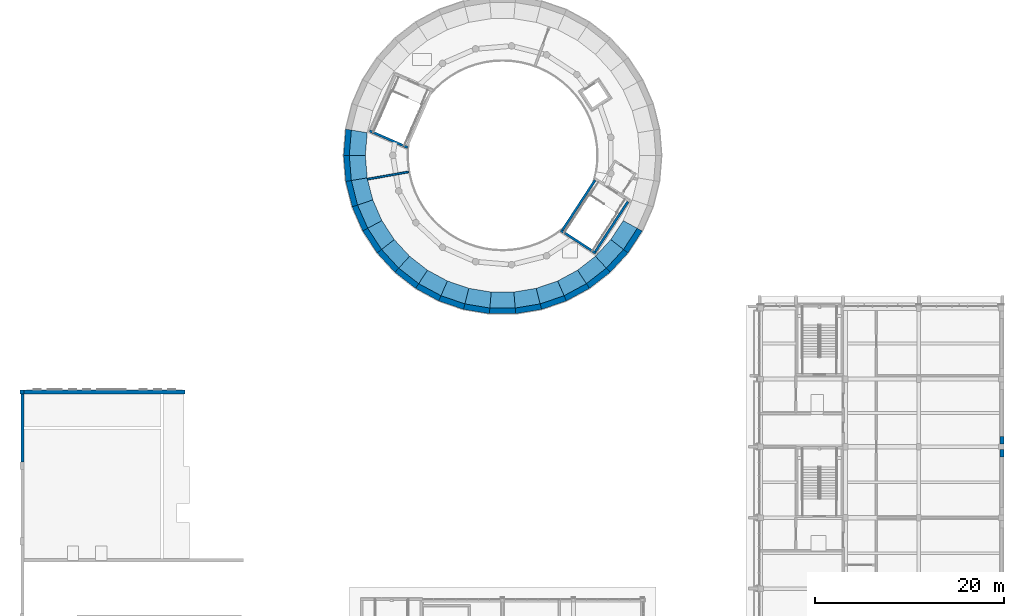
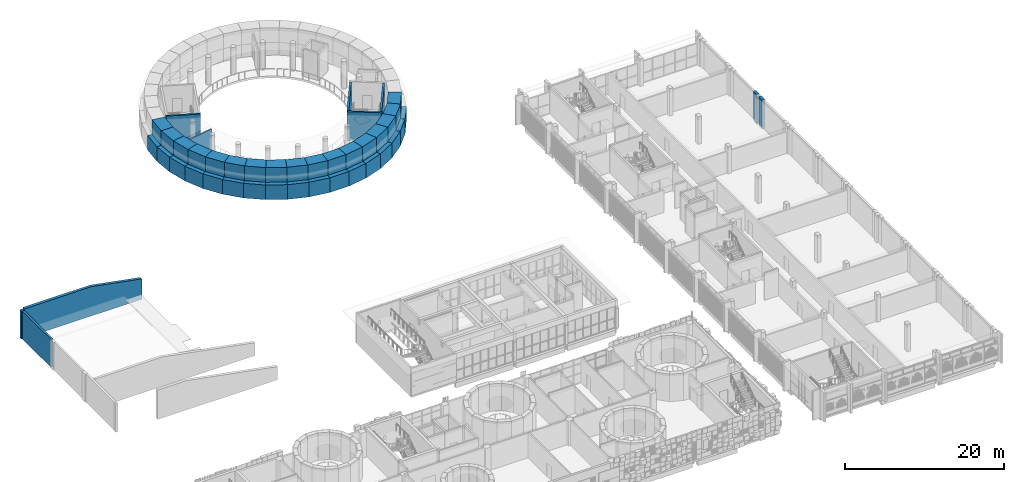
# One storey, part 52 of 92: 44 walls.
"""IFC4 building model written with IfcOpenShell, lengths in metres."""

from ifc_helpers import new_model, si_unit, direction, frame, frame_2d, origin, place, context, subcontext, project, spatial, polyline, rectangle, outline, extrude, material, layer, layer_set, type_object, element, save


model = new_model("IFC4")

# Units and contexts
model_context = context("Model", 3, precision=1e-05, world=origin(), true_north=direction((0.0, 1.0)))
body_context = subcontext(model_context, "Body", "Model", "MODEL_VIEW")
ifc_project = project(units=[si_unit("LENGTHUNIT", "METRE"), si_unit("AREAUNIT", "SQUARE_METRE"), si_unit("VOLUMEUNIT", "CUBIC_METRE"), si_unit("PLANEANGLEUNIT", "RADIAN"), si_unit("MASSUNIT", "GRAM", prefix="KILO")], contexts=[model_context])

# Site, building, storey
site_placement = place(None, origin())
site = spatial("IfcSite", under=ifc_project, at=site_placement, CompositionType="ELEMENT")
building_placement = place(site_placement, origin())
building = spatial("IfcBuilding", under=site, at=building_placement, Name="Sun Court Science Centre", CompositionType="ELEMENT")
storey_placement = place(building_placement, frame((0.0, 0.0, 11.25)))
storey = spatial("IfcBuildingStorey", under=building, at=storey_placement, Name="L02", CompositionType="ELEMENT", Elevation=11.25)

# Walls
ifc_material_1 = material(Name="Gypsum board")
ifc_layer_1 = layer(ifc_material_1, 0.199951171875)
ifc_layer_set_1 = layer_set([ifc_layer_1], Name="Gypsum board")
wall_type_1 = type_object("IfcWallType", Name="Partition 200 stud EI30", PredefinedType="PARTITIONING", material=ifc_layer_set_1)
wall_1_placement = place(storey_placement, frame((36.73291015625, 94.28076171875, 0.0), z_axis=(0.0, 0.0, 1.0), x_axis=(0.984805913837, 0.173658607825, 0.0)))
element("IfcWall", 1, at=wall_1_placement, inside=storey, type_object=wall_type_1, Name="L02 partition 001", PredefinedType="PARTITIONING", context=body_context, shape_type="SweptSolid", body=[
    extrude(rectangle(XDim=4.396240234375, YDim=0.199951171875, at=frame_2d((2.1982421875, 0.0))), origin(), (0.0, 0.0, 1.0), 3.39990234375),
])
ifc_material_2 = material(Name="Concrete C30/37", Category="concrete")
ifc_layer_2 = layer(ifc_material_2, 1.696044921875)
ifc_layer_set_2 = layer_set([ifc_layer_2], Name="Concrete C30/37")
wall_type_2 = type_object("IfcWallType", Name="RC drum wall exterior 1696", PredefinedType="SHEAR", material=ifc_layer_set_2)
wall_2_placement = place(storey_placement, frame((35.865966796875, 99.396484375, 1.949951171875), z_axis=(0.0, 0.0, 1.0), x_axis=(-0.082577286265, -0.996584663635, 0.0)))
element("IfcWall", 2, at=wall_2_placement, inside=storey, type_object=wall_type_2, Name="Drum wall L02 course 2 segment 18", PredefinedType="SHEAR", context=body_context, shape_type="SweptSolid", body=[
    extrude(outline(polyline([(0.000244140625, -0.847900390625), (2.675537109375, -0.847900390625), (2.53515625, 0.847900390625), (0.140625, 0.847900390625), (0.000244140625, -0.847900390625)])), origin(), (0.0, 0.0, 1.0), 2.25),
])
wall_3_placement = place(storey_placement, frame((35.64501953125, 96.8701171875, 1.949951171875), z_axis=(0.0, 0.0, 1.0), x_axis=(0.082577286265, -0.996584663635, 0.0)))
element("IfcWall", 3, at=wall_3_placement, inside=storey, type_object=wall_type_2, Name="Drum wall L02 course 2 segment 19", PredefinedType="SHEAR", context=body_context, shape_type="SweptSolid", body=[
    extrude(outline(polyline([(0.0, -0.847900390625), (2.67578125, -0.847900390625), (2.534912109375, 0.847900390625), (0.140625, 0.847900390625), (0.0, -0.847900390625)])), origin(), (0.0, 0.0, 1.0), 2.25),
])
wall_4_placement = place(storey_placement, frame((35.843017578125, 94.341796875, 1.949951171875), z_axis=(0.0, 0.0, 1.0), x_axis=(0.245454430511, -0.969408130017, 0.0)))
element("IfcWall", 4, at=wall_4_placement, inside=storey, type_object=wall_type_2, Name="Drum wall L02 course 2 segment 20", PredefinedType="SHEAR", context=body_context, shape_type="SweptSolid", body=[
    extrude(outline(polyline([(0.0, -0.847900390625), (2.67578125, -0.847900390625), (2.53515625, 0.847900390625), (0.140380859375, 0.847900390625), (0.0, -0.847900390625)])), origin(), (0.0, 0.0, 1.0), 2.25),
])
wall_5_placement = place(storey_placement, frame((36.454345703125, 91.88037109375, 1.949951171875), z_axis=(0.0, 0.0, 1.0), x_axis=(0.401680291361, -0.915779964583, 0.0)))
element("IfcWall", 5, at=wall_5_placement, inside=storey, type_object=wall_type_2, Name="Drum wall L02 course 2 segment 21", PredefinedType="SHEAR", context=body_context, shape_type="SweptSolid", body=[
    extrude(outline(polyline([(0.0, -0.847900390625), (2.675537109375, -0.847900390625), (2.53466796875, 0.847900390625), (0.140625, 0.847900390625), (0.0, -0.847900390625)])), origin(), (0.0, 0.0, 1.0), 2.25),
])
wall_6_placement = place(storey_placement, frame((37.46240234375, 89.553466796875, 1.949951171875), z_axis=(0.0, 0.0, 1.0), x_axis=(0.546927267379, -0.837180126494, 0.0)))
element("IfcWall", 6, at=wall_6_placement, inside=storey, type_object=wall_type_2, Name="Drum wall L02 course 2 segment 22", PredefinedType="SHEAR", context=body_context, shape_type="SweptSolid", body=[
    extrude(outline(polyline([(0.0, -0.84814453125), (2.675537109375, -0.847900390625), (2.534912109375, 0.84814453125), (0.140380859375, 0.847900390625), (0.0, -0.84814453125)])), origin(), (0.0, 0.0, 1.0), 2.25),
])
wall_7_placement = place(storey_placement, frame((38.83984375, 87.424072265625, 1.949951171875), z_axis=(0.0, 0.0, 1.0), x_axis=(0.677256164306, -0.735747298949, 0.0)))
element("IfcWall", 7, at=wall_7_placement, inside=storey, type_object=wall_type_2, Name="Drum wall L02 course 2 segment 23", PredefinedType="SHEAR", context=body_context, shape_type="SweptSolid", body=[
    extrude(outline(polyline([(-0.000244140625, -0.847900390625), (2.675537109375, -0.847900390625), (2.534912109375, 0.84814453125), (0.140380859375, 0.847900390625), (-0.000244140625, -0.847900390625)])), origin(), (0.0, 0.0, 1.0), 2.25),
])
wall_8_placement = place(storey_placement, frame((40.548828125, 85.550537109375, 1.949951171875), z_axis=(0.0, 0.0, 1.0), x_axis=(0.789096659822, -0.614269046476, 0.0)))
element("IfcWall", 8, at=wall_8_placement, inside=storey, type_object=wall_type_2, Name="Drum wall L02 course 2 segment 24", PredefinedType="SHEAR", context=body_context, shape_type="SweptSolid", body=[
    extrude(outline(polyline([(0.000244140625, -0.847900390625), (2.67578125, -0.847900390625), (2.53515625, 0.84814453125), (0.140625, 0.847900390625), (0.000244140625, -0.847900390625)])), origin(), (0.0, 0.0, 1.0), 2.25),
])
wall_9_placement = place(storey_placement, frame((42.54296875, 83.983642578125, 1.949951171875), z_axis=(0.0, 0.0, 1.0), x_axis=(0.879467057999, -0.475959760793, 0.0)))
element("IfcWall", 9, at=wall_9_placement, inside=storey, type_object=wall_type_2, Name="Drum wall L02 course 2 segment 25", PredefinedType="SHEAR", context=body_context, shape_type="SweptSolid", body=[
    extrude(outline(polyline([(0.0, -0.84814453125), (2.675537109375, -0.847900390625), (2.534912109375, 0.84814453125), (0.140625, 0.84814453125), (0.0, -0.84814453125)])), origin(), (0.0, 0.0, 1.0), 2.25),
])
wall_10_placement = place(storey_placement, frame((44.767822265625, 82.766357421875, 1.949951171875), z_axis=(0.0, 0.0, 1.0), x_axis=(0.945835518562, -0.324646225646, 0.0)))
element("IfcWall", 10, at=wall_10_placement, inside=storey, type_object=wall_type_2, Name="Drum wall L02 course 2 segment 26", PredefinedType="SHEAR", context=body_context, shape_type="SweptSolid", body=[
    extrude(outline(polyline([(-0.000244140625, -0.84765625), (2.675537109375, -0.847900390625), (2.53515625, 0.847900390625), (0.140380859375, 0.84814453125), (-0.000244140625, -0.84765625)])), origin(), (0.0, 0.0, 1.0), 2.25),
])
wall_11_placement = place(storey_placement, frame((47.16259765625, 81.93212890625, 1.949951171875), z_axis=(0.0, 0.0, 1.0), x_axis=(0.986359376913, -0.164606134686, 0.0)))
element("IfcWall", 11, at=wall_11_placement, inside=storey, type_object=wall_type_2, Name="Drum wall L02 course 2 segment 27", PredefinedType="SHEAR", context=body_context, shape_type="SweptSolid", body=[
    extrude(outline(polyline([(0.000244140625, -0.847900390625), (2.675537109375, -0.847900390625), (2.53515625, 0.84814453125), (0.140625, 0.847900390625), (0.000244140625, -0.847900390625)])), origin(), (0.0, 0.0, 1.0), 2.25),
])
wall_12_placement = place(storey_placement, frame((49.662109375, 81.503173828125, 1.949951171875), z_axis=(0.0, 0.0, 1.0), x_axis=(1.0, 0.0, 0.0)))
element("IfcWall", 12, at=wall_12_placement, inside=storey, type_object=wall_type_2, Name="Drum wall L02 course 2 segment 28", PredefinedType="SHEAR", context=body_context, shape_type="SweptSolid", body=[
    extrude(outline(polyline([(0.0, -0.847900390625), (2.67578125, -0.847900390625), (2.53515625, 0.84814453125), (0.140625, 0.84814453125), (0.0, -0.847900390625)])), origin(), (0.0, 0.0, 1.0), 2.25),
])
wall_13_placement = place(storey_placement, frame((52.1982421875, 81.49169921875, 1.949951171875), z_axis=(0.0, 0.0, 1.0), x_axis=(0.986359376913, 0.164606134686, 0.0)))
element("IfcWall", 13, at=wall_13_placement, inside=storey, type_object=wall_type_2, Name="Drum wall L02 course 2 segment 29", PredefinedType="SHEAR", context=body_context, shape_type="SweptSolid", body=[
    extrude(outline(polyline([(0.0, -0.847900390625), (2.675537109375, -0.847900390625), (2.534912109375, 0.847900390625), (0.140625, 0.84814453125), (0.0, -0.847900390625)])), origin(), (0.0, 0.0, 1.0), 2.25),
])
wall_14_placement = place(storey_placement, frame((54.701416015625, 81.897705078125, 1.949951171875), z_axis=(0.0, 0.0, 1.0), x_axis=(0.945835518562, 0.324646225646, 0.0)))
element("IfcWall", 14, at=wall_14_placement, inside=storey, type_object=wall_type_2, Name="Drum wall L02 course 2 segment 30", PredefinedType="SHEAR", context=body_context, shape_type="SweptSolid", body=[
    extrude(outline(polyline([(0.0, -0.847900390625), (2.67578125, -0.84765625), (2.53515625, 0.84814453125), (0.140625, 0.847900390625), (0.0, -0.847900390625)])), origin(), (0.0, 0.0, 1.0), 2.25),
])
wall_15_placement = place(storey_placement, frame((57.10400390625, 82.710205078125, 1.949951171875), z_axis=(0.0, 0.0, 1.0), x_axis=(0.879467057999, 0.475959760793, 0.0)))
element("IfcWall", 15, at=wall_15_placement, inside=storey, type_object=wall_type_2, Name="Drum wall L02 course 2 segment 31", PredefinedType="SHEAR", context=body_context, shape_type="SweptSolid", body=[
    extrude(outline(polyline([(0.0, -0.847900390625), (2.675537109375, -0.84814453125), (2.534912109375, 0.84814453125), (0.140625, 0.84814453125), (0.0, -0.847900390625)])), origin(), (0.0, 0.0, 1.0), 2.25),
])
wall_16_placement = place(storey_placement, frame((59.33984375, 83.906982421875, 1.949951171875), z_axis=(0.0, 0.0, 1.0), x_axis=(0.789096659822, 0.614269046476, 0.0)))
element("IfcWall", 16, at=wall_16_placement, inside=storey, type_object=wall_type_2, Name="Drum wall L02 course 2 segment 32", PredefinedType="SHEAR", context=body_context, shape_type="SweptSolid", body=[
    extrude(outline(polyline([(-0.000244140625, -0.847900390625), (2.675537109375, -0.847900390625), (2.534912109375, 0.847900390625), (0.140380859375, 0.84814453125), (-0.000244140625, -0.847900390625)])), origin(), (0.0, 0.0, 1.0), 2.25),
])
wall_17_placement = place(storey_placement, frame((61.34814453125, 85.45556640625, 1.949951171875), z_axis=(0.0, 0.0, 1.0), x_axis=(0.677256164306, 0.735747298949, 0.0)))
element("IfcWall", 17, at=wall_17_placement, inside=storey, type_object=wall_type_2, Name="Drum wall L02 course 2 segment 33", PredefinedType="SHEAR", context=body_context, shape_type="SweptSolid", body=[
    extrude(outline(polyline([(0.0, -0.847900390625), (2.67578125, -0.847900390625), (2.53515625, 0.847900390625), (0.140380859375, 0.84814453125), (0.0, -0.847900390625)])), origin(), (0.0, 0.0, 1.0), 2.25),
])
wall_18_placement = place(storey_placement, frame((63.07421875, 87.3134765625, 1.949951171875), z_axis=(0.0, 0.0, 1.0), x_axis=(0.546927267379, 0.837180126494, 0.0)))
element("IfcWall", 18, at=wall_18_placement, inside=storey, type_object=wall_type_2, Name="Drum wall L02 course 2 segment 34", PredefinedType="SHEAR", context=body_context, shape_type="SweptSolid", body=[
    extrude(outline(polyline([(0.000244140625, -0.847900390625), (2.675537109375, -0.84814453125), (2.53515625, 0.847900390625), (0.140625, 0.84814453125), (0.000244140625, -0.847900390625)])), origin(), (0.0, 0.0, 1.0), 2.25),
])
ifc_material_3 = material(Name="Concrete C30/37", Category="concrete")
ifc_layer_3 = layer(ifc_material_3, 2.2939453125)
ifc_layer_set_3 = layer_set([ifc_layer_3], Name="Concrete C30/37")
wall_type_3 = type_object("IfcWallType", Name="RC drum wall exterior 2294", PredefinedType="SHEAR", material=ifc_layer_set_3)
wall_19_placement = place(storey_placement, frame((35.572021484375, 99.470458984375, -0.300048828125), z_axis=(0.0, 0.0, 1.0), x_axis=(-0.082535726981, -0.996588106377, 0.0)))
element("IfcWall", 19, at=wall_19_placement, inside=storey, type_object=wall_type_3, Name="Drum wall L02 course 1 segment 18", PredefinedType="SHEAR", context=body_context, shape_type="SweptSolid", body=[
    extrude(outline(polyline([(0.0, -1.146728515625), (2.774658203125, -1.14697265625), (2.58447265625, 1.14697265625), (0.190185546875, 1.14697265625), (0.0, -1.146728515625)])), origin(), (0.0, 0.0, 1.0), 2.25),
])
wall_20_placement = place(storey_placement, frame((35.343017578125, 96.894775390625, -0.300048828125), z_axis=(0.0, 0.0, 1.0), x_axis=(0.082535726981, -0.996588106377, 0.0)))
element("IfcWall", 20, at=wall_20_placement, inside=storey, type_object=wall_type_3, Name="Drum wall L02 course 1 segment 19", PredefinedType="SHEAR", context=body_context, shape_type="SweptSolid", body=[
    extrude(outline(polyline([(0.0, -1.14697265625), (2.774658203125, -1.146728515625), (2.58447265625, 1.14697265625), (0.18994140625, 1.14697265625), (0.0, -1.14697265625)])), origin(), (0.0, 0.0, 1.0), 2.25),
])
wall_21_placement = place(storey_placement, frame((35.541015625, 94.31640625, -0.300048828125), z_axis=(0.0, 0.0, 1.0), x_axis=(0.24549513697, -0.96939782222, 0.0)))
element("IfcWall", 21, at=wall_21_placement, inside=storey, type_object=wall_type_3, Name="Drum wall L02 course 1 segment 20", PredefinedType="SHEAR", context=body_context, shape_type="SweptSolid", body=[
    extrude(outline(polyline([(0.0, -1.14697265625), (2.774658203125, -1.14697265625), (2.584716796875, 1.14697265625), (0.18994140625, 1.14697265625), (0.0, -1.14697265625)])), origin(), (0.0, 0.0, 1.0), 2.25),
])
wall_22_placement = place(storey_placement, frame((36.16064453125, 91.8056640625, -0.300048828125), z_axis=(0.0, 0.0, 1.0), x_axis=(0.401700336395, -0.91577117215, 0.0)))
element("IfcWall", 22, at=wall_22_placement, inside=storey, type_object=wall_type_3, Name="Drum wall L02 course 1 segment 21", PredefinedType="SHEAR", context=body_context, shape_type="SweptSolid", body=[
    extrude(outline(polyline([(0.0, -1.14697265625), (2.7744140625, -1.14697265625), (2.58447265625, 1.146728515625), (0.190185546875, 1.14697265625), (0.0, -1.14697265625)])), origin(), (0.0, 0.0, 1.0), 2.25),
])
wall_23_placement = place(storey_placement, frame((37.18505859375, 89.431396484375, -0.300048828125), z_axis=(0.0, 0.0, 1.0), x_axis=(0.546960095535, -0.83715867904, 0.0)))
element("IfcWall", 23, at=wall_23_placement, inside=storey, type_object=wall_type_3, Name="Drum wall L02 course 1 segment 22", PredefinedType="SHEAR", context=body_context, shape_type="SweptSolid", body=[
    extrude(outline(polyline([(-0.000244140625, -1.14697265625), (2.774658203125, -1.14697265625), (2.58447265625, 1.14697265625), (0.18994140625, 1.146728515625), (-0.000244140625, -1.14697265625)])), origin(), (0.0, 0.0, 1.0), 2.25),
])
wall_24_placement = place(storey_placement, frame((38.586181640625, 87.258056640625, -0.300048828125), z_axis=(0.0, 0.0, 1.0), x_axis=(0.677292845284, -0.73571353238, 0.0)))
element("IfcWall", 24, at=wall_24_placement, inside=storey, type_object=wall_type_3, Name="Drum wall L02 course 1 segment 23", PredefinedType="SHEAR", context=body_context, shape_type="SweptSolid", body=[
    extrude(outline(polyline([(0.0, -1.14697265625), (2.774658203125, -1.147216796875), (2.584716796875, 1.14697265625), (0.190185546875, 1.14697265625), (0.0, -1.14697265625)])), origin(), (0.0, 0.0, 1.0), 2.25),
])
wall_25_placement = place(storey_placement, frame((40.326171875, 85.344970703125, -0.300048828125), z_axis=(0.0, 0.0, 1.0), x_axis=(0.789101039288, -0.614263420525, 0.0)))
element("IfcWall", 25, at=wall_25_placement, inside=storey, type_object=wall_type_3, Name="Drum wall L02 course 1 segment 24", PredefinedType="SHEAR", context=body_context, shape_type="SweptSolid", body=[
    extrude(outline(polyline([(0.0, -1.147216796875), (2.774658203125, -1.146728515625), (2.58447265625, 1.147216796875), (0.18994140625, 1.14697265625), (0.0, -1.147216796875)])), origin(), (0.0, 0.0, 1.0), 2.25),
])
wall_26_placement = place(storey_placement, frame((42.357177734375, 83.744384765625, -0.300048828125), z_axis=(0.0, 0.0, 1.0), x_axis=(0.879437784229, -0.476013848192, 0.0)))
element("IfcWall", 26, at=wall_26_placement, inside=storey, type_object=wall_type_3, Name="Drum wall L02 course 1 segment 25", PredefinedType="SHEAR", context=body_context, shape_type="SweptSolid", body=[
    extrude(outline(polyline([(0.0, -1.14697265625), (2.774658203125, -1.146728515625), (2.58447265625, 1.14697265625), (0.190185546875, 1.14697265625), (0.0, -1.14697265625)])), origin(), (0.0, 0.0, 1.0), 2.25),
])
wall_27_placement = place(storey_placement, frame((44.6240234375, 82.499755859375, -0.300048828125), z_axis=(0.0, 0.0, 1.0), x_axis=(0.945820926491, -0.32468873558, 0.0)))
element("IfcWall", 27, at=wall_27_placement, inside=storey, type_object=wall_type_3, Name="Drum wall L02 course 1 segment 26", PredefinedType="SHEAR", context=body_context, shape_type="SweptSolid", body=[
    extrude(outline(polyline([(-0.000244140625, -1.14697265625), (2.7744140625, -1.14697265625), (2.58447265625, 1.14697265625), (0.18994140625, 1.14697265625), (-0.000244140625, -1.14697265625)])), origin(), (0.0, 0.0, 1.0), 2.25),
])
wall_28_placement = place(storey_placement, frame((47.064697265625, 81.645263671875, -0.300048828125), z_axis=(0.0, 0.0, 1.0), x_axis=(0.986370132377, -0.164541672395, 0.0)))
element("IfcWall", 28, at=wall_28_placement, inside=storey, type_object=wall_type_3, Name="Drum wall L02 course 1 segment 27", PredefinedType="SHEAR", context=body_context, shape_type="SweptSolid", body=[
    extrude(outline(polyline([(-0.000244140625, -1.146728515625), (2.774658203125, -1.14697265625), (2.58447265625, 1.14697265625), (0.190185546875, 1.14697265625), (-0.000244140625, -1.146728515625)])), origin(), (0.0, 0.0, 1.0), 2.25),
])
wall_29_placement = place(storey_placement, frame((49.612548828125, 81.204345703125, -0.300048828125), z_axis=(0.0, 0.0, 1.0), x_axis=(1.0, 0.0, 0.0)))
element("IfcWall", 29, at=wall_29_placement, inside=storey, type_object=wall_type_3, Name="Drum wall L02 course 1 segment 28", PredefinedType="SHEAR", context=body_context, shape_type="SweptSolid", body=[
    extrude(outline(polyline([(0.000244140625, -1.14697265625), (2.774658203125, -1.14697265625), (2.584716796875, 1.14697265625), (0.190185546875, 1.14697265625), (0.000244140625, -1.14697265625)])), origin(), (0.0, 0.0, 1.0), 2.25),
])
wall_30_placement = place(storey_placement, frame((52.198486328125, 81.188720703125, -0.300048828125), z_axis=(0.0, 0.0, 1.0), x_axis=(0.986370132377, 0.164541672395, 0.0)))
element("IfcWall", 30, at=wall_30_placement, inside=storey, type_object=wall_type_3, Name="Drum wall L02 course 1 segment 29", PredefinedType="SHEAR", context=body_context, shape_type="SweptSolid", body=[
    extrude(outline(polyline([(0.0, -1.14697265625), (2.77490234375, -1.146728515625), (2.58447265625, 1.14697265625), (0.190185546875, 1.14697265625), (0.0, -1.14697265625)])), origin(), (0.0, 0.0, 1.0), 2.25),
])
wall_31_placement = place(storey_placement, frame((54.751708984375, 81.598876953125, -0.300048828125), z_axis=(0.0, 0.0, 1.0), x_axis=(0.945820926491, 0.32468873558, 0.0)))
element("IfcWall", 31, at=wall_31_placement, inside=storey, type_object=wall_type_3, Name="Drum wall L02 course 1 segment 30", PredefinedType="SHEAR", context=body_context, shape_type="SweptSolid", body=[
    extrude(outline(polyline([(0.000244140625, -1.14697265625), (2.774658203125, -1.14697265625), (2.584716796875, 1.14697265625), (0.18994140625, 1.14697265625), (0.000244140625, -1.14697265625)])), origin(), (0.0, 0.0, 1.0), 2.25),
])
wall_32_placement = place(storey_placement, frame((57.20263671875, 82.423583984375, -0.300048828125), z_axis=(0.0, 0.0, 1.0), x_axis=(0.879437784229, 0.476013848192, 0.0)))
element("IfcWall", 32, at=wall_32_placement, inside=storey, type_object=wall_type_3, Name="Drum wall L02 course 1 segment 31", PredefinedType="SHEAR", context=body_context, shape_type="SweptSolid", body=[
    extrude(outline(polyline([(0.0, -1.146728515625), (2.774658203125, -1.14697265625), (2.584716796875, 1.14697265625), (0.190185546875, 1.14697265625), (0.0, -1.146728515625)])), origin(), (0.0, 0.0, 1.0), 2.25),
])
wall_33_placement = place(storey_placement, frame((59.484375, 83.640625, -0.300048828125), z_axis=(0.0, 0.0, 1.0), x_axis=(0.789101039288, 0.614263420525, 0.0)))
element("IfcWall", 33, at=wall_33_placement, inside=storey, type_object=wall_type_3, Name="Drum wall L02 course 1 segment 32", PredefinedType="SHEAR", context=body_context, shape_type="SweptSolid", body=[
    extrude(outline(polyline([(-0.000244140625, -1.146728515625), (2.7744140625, -1.147216796875), (2.58447265625, 1.14697265625), (0.18994140625, 1.147216796875), (-0.000244140625, -1.146728515625)])), origin(), (0.0, 0.0, 1.0), 2.25),
])
wall_34_placement = place(storey_placement, frame((61.534423828125, 85.216552734375, -0.300048828125), z_axis=(0.0, 0.0, 1.0), x_axis=(0.677292845284, 0.73571353238, 0.0)))
element("IfcWall", 34, at=wall_34_placement, inside=storey, type_object=wall_type_3, Name="Drum wall L02 course 1 segment 33", PredefinedType="SHEAR", context=body_context, shape_type="SweptSolid", body=[
    extrude(outline(polyline([(0.0, -1.147216796875), (2.77490234375, -1.14697265625), (2.584716796875, 1.14697265625), (0.190185546875, 1.14697265625), (0.0, -1.147216796875)])), origin(), (0.0, 0.0, 1.0), 2.25),
])
wall_35_placement = place(storey_placement, frame((63.29736328125, 87.108642578125, -0.300048828125), z_axis=(0.0, 0.0, 1.0), x_axis=(0.546960095535, 0.83715867904, 0.0)))
element("IfcWall", 35, at=wall_35_placement, inside=storey, type_object=wall_type_3, Name="Drum wall L02 course 1 segment 34", PredefinedType="SHEAR", context=body_context, shape_type="SweptSolid", body=[
    extrude(outline(polyline([(0.0, -1.14697265625), (2.774658203125, -1.14697265625), (2.584716796875, 1.146728515625), (0.18994140625, 1.14697265625), (0.0, -1.14697265625)])), origin(), (0.0, 0.0, 1.0), 2.25),
])
ifc_material_4 = material(Name="Concrete C30/37", Category="concrete")
ifc_layer_4 = layer(ifc_material_4, 0.39990234375)
ifc_layer_set_4 = layer_set([ifc_layer_4], Name="Concrete C30/37")
wall_type_4 = type_object("IfcWallType", Name="RC party wall exterior 400", PredefinedType="SOLIDWALL", material=ifc_layer_set_4)
for number, where, z_axis, x_axis, name in (
    (36, (103.800048828125, 64.89990234375, -0.300048828125), (0.0, 0.0, 1.0), (0.0, 1.0, 0.0), "East party wall L02"),
    (37, (103.800048828125, 66.300048828125, -0.300048828125), (0.0, 0.0, 1.0), (0.0, 1.0, 0.0), "East party wall L02"),
):
    element("IfcWall", number, at=place(storey_placement, frame(where, z_axis=z_axis, x_axis=x_axis)), inside=storey, type_object=wall_type_4, Name=name, PredefinedType="SOLIDWALL", context=body_context, shape_type="SweptSolid", body=[
        extrude(rectangle(XDim=0.800048828125, YDim=0.39990234375, at=frame_2d((0.39990234375, 0.0))), origin(), (0.0, 0.0, 1.0), 4.5),
    ])
ifc_material_5 = material(Name="Concrete C30/37", Category="concrete")
ifc_layer_5 = layer(ifc_material_5, 0.300048828125)
ifc_layer_set_5 = layer_set([ifc_layer_5], Name="Concrete C30/37")
wall_type_5 = type_object("IfcWallType", Name="RC party wall panel exterior 300", PredefinedType="SOLIDWALL", material=ifc_layer_set_5)
wall_36_placement = place(storey_placement, frame((0.25, 64.39990234375, -0.300048828125), z_axis=(0.0, 0.0, 1.0), x_axis=(0.0, 1.0, 0.0)))
element("IfcWall", 38, at=wall_36_placement, inside=storey, type_object=wall_type_5, Name="West party wall panel L02", PredefinedType="SOLIDWALL", context=body_context, shape_type="SweptSolid", body=[
    extrude(rectangle(XDim=7.2001953125, YDim=0.300048828125, at=frame_2d((3.60009765625, 0.0))), origin(), (0.0, 0.0, 1.0), 4.29248046875),
])
ifc_material_6 = material(Name="Concrete C30/37", Category="concrete")
ifc_layer_6 = layer(ifc_material_6, 0.25)
ifc_layer_set_6 = layer_set([ifc_layer_6], Name="Concrete C30/37")
wall_type_6 = type_object("IfcWallType", Name="RC stair core wall 250", PredefinedType="SHEAR", material=ifc_layer_set_6)
wall_37_placement = place(storey_placement, frame((57.161865234375, 88.8623046875, -0.300048828125), z_axis=(0.0, 0.0, 1.0), x_axis=(0.837178733665, -0.546929399373, 0.0)))
element("IfcWall", 39, at=wall_37_placement, inside=storey, type_object=wall_type_6, Name="Stair core PS1 wall S, L02", PredefinedType="SHEAR", context=body_context, shape_type="SweptSolid", body=[
    extrude(rectangle(XDim=4.39990234375, YDim=0.25, at=frame_2d((2.199951171875, 0.0))), origin(), (0.0, 0.0, 1.0), 4.5),
])
wall_38_placement = place(storey_placement, frame((60.80908203125, 86.628662109375, -0.300048828125), z_axis=(0.0, 0.0, 1.0), x_axis=(0.546949670387, 0.837165490249, 0.0)))
element("IfcWall", 40, at=wall_38_placement, inside=storey, type_object=wall_type_6, Name="Stair core PS1 wall E, L02", PredefinedType="SHEAR", context=body_context, shape_type="SweptSolid", body=[
    extrude(rectangle(XDim=6.300048828125, YDim=0.25, at=frame_2d((3.14990234375, 0.0))), origin(), (0.0, 0.0, 1.0), 4.5),
])
wall_39_placement = place(storey_placement, frame((57.3349609375, 88.8984375, -0.300048828125), z_axis=(0.0, 0.0, 1.0), x_axis=(0.546922510141, 0.837183234364, 0.0)))
element("IfcWall", 41, at=wall_39_placement, inside=storey, type_object=wall_type_6, Name="Stair core PS1 wall W, L02", PredefinedType="SHEAR", context=body_context, shape_type="SweptSolid", body=[
    extrude(rectangle(XDim=6.2998046875, YDim=0.25, at=frame_2d((3.14990234375, 0.0))), origin(), (0.0, 0.0, 1.0), 4.5),
])
wall_40_placement = place(storey_placement, frame((40.984619140625, 97.616943359375, -0.300048828125), z_axis=(0.0, 0.0, 1.0), x_axis=(-0.915768514631, 0.401706394785, 0.0)))
element("IfcWall", 42, at=wall_40_placement, inside=storey, type_object=wall_type_6, Name="Stair core PS2 wall N, L02", PredefinedType="SHEAR", context=body_context, shape_type="SweptSolid", body=[
    extrude(rectangle(XDim=4.400146484375, YDim=0.25, at=frame_2d((2.2001953125, 0.0))), origin(), (0.0, 0.0, 1.0), 4.5),
])
ifc_material_7 = material(Name="Concrete C30/37", Category="concrete")
ifc_layer_7 = layer(ifc_material_7, 0.39990234375)
ifc_layer_set_7 = layer_set([ifc_layer_7], Name="Concrete C30/37")
wall_type_7 = type_object("IfcWallType", Name="RC theatre wall exterior 400", PredefinedType="SOLIDWALL", material=ifc_layer_set_7)
wall_41_placement = place(storey_placement, frame((0.199951171875, 71.60009765625, -0.300048828125), z_axis=(0.0, 0.0, 1.0), x_axis=(0.0, 1.0, 0.0)))
element("IfcWall", 43, at=wall_41_placement, inside=storey, type_object=wall_type_7, Name="West party wall L02", PredefinedType="SOLIDWALL", context=body_context, shape_type="SweptSolid", body=[
    extrude(rectangle(XDim=0.39990234375, YDim=0.39990234375, at=frame_2d((0.199951171875, 0.0))), origin(), (0.0, 0.0, 1.0), 4.29248046875),
])
wall_42_placement = place(storey_placement, frame((0.39990234375, 71.800048828125, -0.300048828125), z_axis=(0.0, 0.0, 1.0), x_axis=(1.0, 0.0, 0.0)))
element("IfcWall", 44, at=wall_42_placement, inside=storey, type_object=wall_type_7, Name="North stage-house wall L02", PredefinedType="SOLIDWALL", context=body_context, shape_type="SweptSolid", body=[
    extrude(outline(polyline([(0.0, 0.0), (17.050048828125, 0.0), (17.050048828125, 3.128173828125), (9.7333984375, 4.5), (0.0, 4.5), (0.0, 0.0)])), frame((0.0, 0.199951171875, 0.0), z_axis=(0.0, -1.0, 0.0), x_axis=(1.0, 0.0, 0.0)), (0.0, 0.0, 1.0), 0.39990234375),
])

save(model, "model.ifc")
